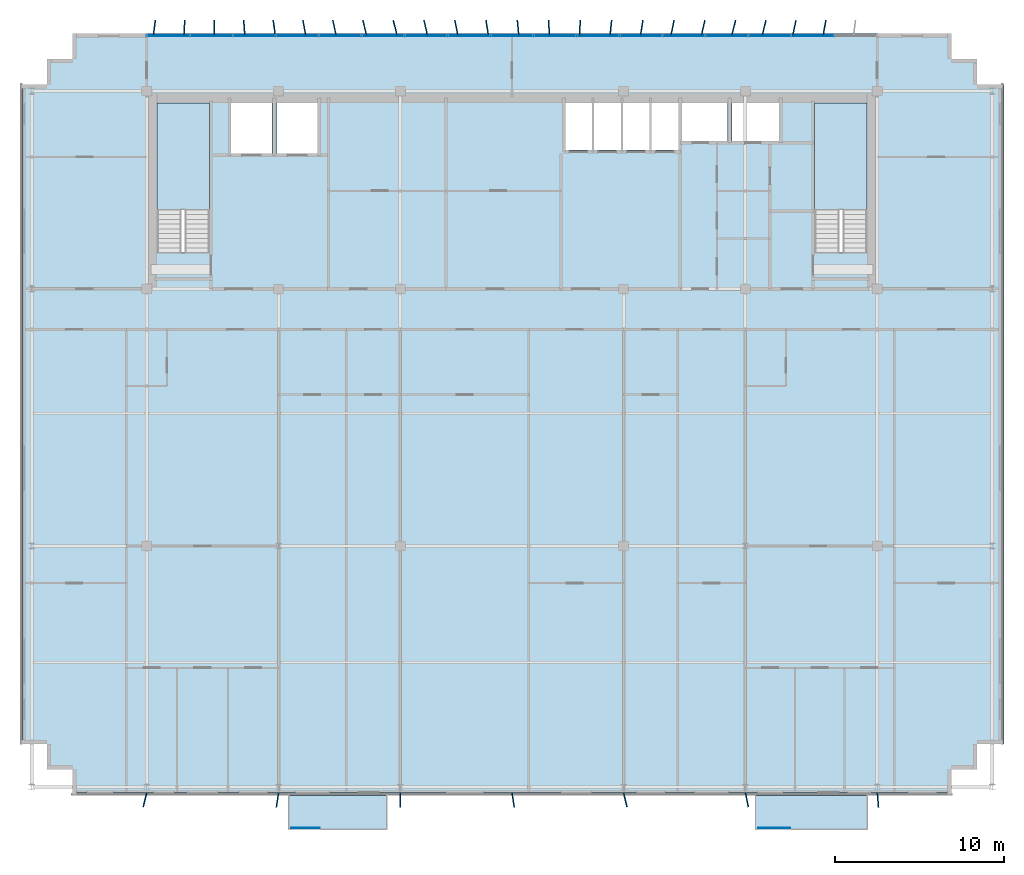
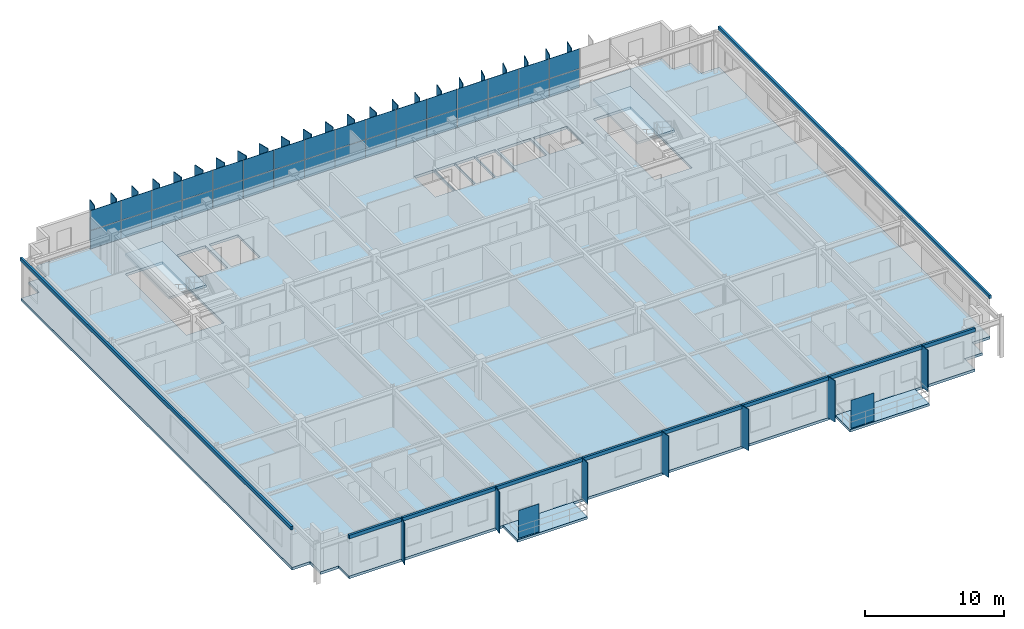
# One storey, part 15 of 22: 67 plates, 5 slabs, 3 elements without a shape of their own.
"""IFC4 building model written with IfcOpenShell, lengths in metres."""

from ifc_helpers import new_model, si_unit, direction, frame, origin, origin_2d, place, context, subcontext, project, spatial, polyline, rectangle, outline, extrude, source, transform, mapped, material, layer, layer_set, type_object, element, aggregate, save


model = new_model("IFC4")

# Units and contexts
model_context = context("Model", 3, precision=1e-05, world=origin(), true_north=direction((0.0, 1.0)))
body_context = subcontext(model_context, "Body", "Model", "MODEL_VIEW")
ifc_project = project(units=[si_unit("LENGTHUNIT", "METRE"), si_unit("AREAUNIT", "SQUARE_METRE"), si_unit("VOLUMEUNIT", "CUBIC_METRE"), si_unit("PLANEANGLEUNIT", "RADIAN"), si_unit("MASSUNIT", "GRAM", prefix="KILO")], contexts=[model_context])

# Site, building, storey
site_placement = place(None, origin())
site = spatial("IfcSite", under=ifc_project, at=site_placement, CompositionType="ELEMENT")
building_placement = place(site_placement, origin())
building = spatial("IfcBuilding", under=site, at=building_placement, Name="Trelvane Seafront Commons", CompositionType="ELEMENT")
storey_placement = place(building_placement, frame((0.0, 0.0, 284.699951171875)))
storey = spatial("IfcBuildingStorey", under=building, at=storey_placement, Name="L74", CompositionType="ELEMENT", Elevation=284.699951171875)

# Slabs
ifc_material_1 = material(Name="Concrete C40/50", Category="concrete")
ifc_layer_1 = layer(ifc_material_1, 0.219970703125, Name="ARCH-BALC-220")
ifc_layer_set_1 = layer_set([ifc_layer_1], Name="Concrete C40/50")
slab_type_1 = type_object("IfcSlabType", Name="ARCH-BALC-220", PredefinedType="FLOOR", material=ifc_layer_set_1)
slab_1_placement = place(storey_placement, frame((0.0, 0.0, -0.219970703125)))
element("IfcSlab", 1, at=slab_1_placement, inside=storey, type_object=slab_type_1, Name="L74 Cantilevered Tree Balcony Loggia 2", PredefinedType="FLOOR", context=body_context, shape_type="SweptSolid", body=[
    extrude(outline(polyline([(24.0, 1.39990234375), (29.800048828125, 1.39990234375), (29.800048828125, 3.5), (24.0, 3.5), (24.0, 1.39990234375)])), origin(), (0.0, 0.0, 1.0), 0.219970703125),
])
slab_2_placement = place(storey_placement, frame((0.0, 0.0, -0.219970703125)))
element("IfcSlab", 2, at=slab_2_placement, inside=storey, type_object=slab_type_1, Name="L74 Cantilevered Tree Balcony Loggia 3", PredefinedType="FLOOR", context=body_context, shape_type="SweptSolid", body=[
    extrude(outline(polyline([(51.60009765625, 1.39990234375), (58.199951171875, 1.39990234375), (58.199951171875, 3.5), (51.60009765625, 3.5), (51.60009765625, 1.39990234375)])), origin(), (0.0, 0.0, 1.0), 0.219970703125),
])

# Stair, slab
stair_type_1 = type_object("IfcStairType", Name="ARCH-STR-ST-1-R20-180", PredefinedType="HALF_TURN_STAIR", material=ifc_material_1)
stair_1_placement = place(storey_placement, origin())
stair_1 = element("IfcStair", 3, at=stair_1_placement, inside=storey, type_object=stair_type_1, Name="L74 West Protected Firefighting Exit Stair ST-1", PredefinedType="HALF_TURN_STAIR")
ifc_layer_2 = layer(ifc_material_1, 0.199951171875, Name="ARCH-LND-200")
ifc_layer_set_2 = layer_set([ifc_layer_2], Name="Concrete C40/50")
slab_type_2 = type_object("IfcSlabType", Name="ARCH-LND-200", PredefinedType="LANDING", material=ifc_layer_set_2)
slab_3_placement = place(storey_placement, frame((0.0, 0.0, 1.60009765625)))
slab_3 = element("IfcSlab", 4, at=slab_3_placement, type_object=slab_type_2, Name="ST-1 landing 1", PredefinedType="LANDING", context=body_context, shape_type="SweptSolid", body=[
    extrude(outline(polyline([(19.300048828125, 38.070068359375), (19.300048828125, 44.39990234375), (16.199951171875, 44.39990234375), (16.199951171875, 38.070068359375), (19.300048828125, 38.070068359375)])), origin(), (0.0, 0.0, 1.0), 0.199951171875),
])
aggregate(stair_1, [slab_3])

stair_type_2 = type_object("IfcStairType", Name="ARCH-STR-ST-2-R20-180", PredefinedType="HALF_TURN_STAIR", material=ifc_material_1)
stair_2_placement = place(storey_placement, origin())
stair_2 = element("IfcStair", 5, at=stair_2_placement, inside=storey, type_object=stair_type_2, Name="L74 East Protected Firefighting Exit Stair ST-2", PredefinedType="HALF_TURN_STAIR")
slab_4_placement = place(storey_placement, frame((0.0, 0.0, 1.60009765625)))
slab_4 = element("IfcSlab", 6, at=slab_4_placement, type_object=slab_type_2, Name="ST-2 landing 1", PredefinedType="LANDING", context=body_context, shape_type="SweptSolid", body=[
    extrude(outline(polyline([(58.199951171875, 38.070068359375), (58.199951171875, 44.39990234375), (55.10009765625, 44.39990234375), (55.10009765625, 38.070068359375), (58.199951171875, 38.070068359375)])), origin(), (0.0, 0.0, 1.0), 0.199951171875),
])
aggregate(stair_2, [slab_4])

# Slab
ifc_material_2 = material(Name="Concrete C50/60", Category="concrete")
ifc_layer_3 = layer(ifc_material_2, 0.22998046875, Name="STR-SLB-Z5-230")
ifc_layer_set_3 = layer_set([ifc_layer_3], Name="Concrete C50/60")
slab_type_3 = type_object("IfcSlabType", Name="STR-SLB-Z5-230", PredefinedType="FLOOR", material=ifc_layer_set_3)
slab_5_placement = place(storey_placement, frame((0.0, 0.0, -0.22998046875)))
element("IfcSlab", 7, at=slab_5_placement, inside=storey, type_object=slab_type_3, Name="L74 Structural Floor Slab", PredefinedType="FLOOR", context=body_context, shape_type="SweptSolid", body=[
    extrude(outline(polyline([(11.199951171875, 3.5), (63.199951171875, 3.5), (63.199951171875, 5.0), (64.699951171875, 5.0), (64.699951171875, 6.5), (66.199951171875, 6.5), (66.199951171875, 45.5), (64.699951171875, 45.5), (64.699951171875, 47.0), (63.199951171875, 47.0), (63.199951171875, 48.5), (11.199951171875, 48.5), (11.199951171875, 47.0), (9.699951171875, 47.0), (9.699951171875, 45.5), (8.199951171875, 45.5), (8.199951171875, 6.5), (9.699951171875, 6.5), (9.699951171875, 5.0), (11.199951171875, 5.0), (11.199951171875, 3.5)]), holes=[polyline([(19.300048828125, 35.550048828125), (16.199951171875, 35.550048828125), (16.199951171875, 44.39990234375), (19.300048828125, 44.39990234375), (19.300048828125, 35.550048828125)]), polyline([(58.199951171875, 35.550048828125), (55.10009765625, 35.550048828125), (55.10009765625, 44.39990234375), (58.199951171875, 44.39990234375), (58.199951171875, 35.550048828125)]), polyline([(23.0, 41.39990234375), (20.60009765625, 41.39990234375), (20.60009765625, 44.60009765625), (23.0, 44.60009765625), (23.0, 41.39990234375)]), polyline([(23.300048828125, 41.39990234375), (23.300048828125, 44.60009765625), (25.699951171875, 44.60009765625), (25.699951171875, 41.39990234375), (23.300048828125, 41.39990234375)]), polyline([(40.35009765625, 41.60009765625), (40.35009765625, 44.60009765625), (41.969970703125, 44.60009765625), (41.969970703125, 41.60009765625), (40.35009765625, 41.60009765625)]), polyline([(43.669921875, 41.60009765625), (42.050048828125, 41.60009765625), (42.050048828125, 44.60009765625), (43.669921875, 44.60009765625), (43.669921875, 41.60009765625)]), polyline([(45.3701171875, 41.60009765625), (43.75, 41.60009765625), (43.75, 44.60009765625), (45.3701171875, 44.60009765625), (45.3701171875, 41.60009765625)]), polyline([(47.070068359375, 41.60009765625), (45.449951171875, 41.60009765625), (45.449951171875, 44.60009765625), (47.070068359375, 44.60009765625), (47.070068359375, 41.60009765625)]), polyline([(47.25, 42.14990234375), (47.25, 44.550048828125), (49.949951171875, 44.550048828125), (49.949951171875, 42.14990234375), (47.25, 42.14990234375)]), polyline([(50.199951171875, 42.14990234375), (50.199951171875, 44.550048828125), (53.0, 44.550048828125), (53.0, 42.14990234375), (50.199951171875, 42.14990234375)])]), origin(), (0.0, 0.0, 1.0), 0.22998046875),
])

# Plates
ifc_material_3 = material(Name="Perforated anodised aluminium screen", Category="aluminium")
ifc_layer_4 = layer(ifc_material_3, 0.01611328125, Name="ARCH-PLATE-SCREEN")
ifc_layer_set_4 = layer_set([ifc_layer_4], Name="Perforated anodised aluminium screen")
plate_type_1 = type_object("IfcPlateType", Name="ARCH-PLATE-SCREEN", PredefinedType="USERDEFINED", material=ifc_layer_set_4)
shared_shape_1 = source(origin(), body_context, "Body", "SweptSolid", [
    extrude(rectangle(XDim=1.9140625, YDim=0.01611328125, at=origin_2d()), origin(), (0.0, 0.0, 1.0), 2.449951171875),
])
plate_1_placement = place(storey_placement, frame((52.70703125, 1.52001953125, 0.0), z_axis=(0.0, 0.0, 1.0), x_axis=(1.0, 0.0, 0.0)))
element("IfcPlate", 8, at=plate_1_placement, inside=storey, type_object=plate_type_1, Name="SCR-L74-00258", ObjectType="SCREEN", PredefinedType="USERDEFINED", context=body_context, shape_type="MappedRepresentation", body=[
    mapped(shared_shape_1, transform((0.0, 0.0, 0.0), x_axis=(1.0, 0.0, 0.0), y_axis=(0.0, 1.0, 0.0), z_axis=(0.0, 0.0, 1.0), scale=1.0)),
])
shared_shape_2 = source(origin(), body_context, "Body", "SweptSolid", [
    extrude(rectangle(XDim=1.681884765625, YDim=0.01611328125, at=origin_2d()), origin(), (0.0, 0.0, 1.0), 2.449951171875),
])
plate_2_placement = place(storey_placement, frame((24.990966796875, 1.52001953125, 0.0), z_axis=(0.0, 0.0, 1.0), x_axis=(1.0, 0.0, 0.0)))
element("IfcPlate", 9, at=plate_2_placement, inside=storey, type_object=plate_type_1, Name="SCR-L74-00257", ObjectType="SCREEN", PredefinedType="USERDEFINED", context=body_context, shape_type="MappedRepresentation", body=[
    mapped(shared_shape_2, transform((0.0, 0.0, 0.0), x_axis=(1.0, 0.0, 0.0), y_axis=(0.0, 1.0, 0.0), z_axis=(0.0, 0.0, 1.0), scale=1.0)),
])
ifc_material_4 = material(Name="Anodised pale-silver aluminium", Category="aluminium")
ifc_layer_5 = layer(ifc_material_4, 0.06005859375, Name="ARCH-PLATE-FIN900")
ifc_layer_set_5 = layer_set([ifc_layer_5], Name="Anodised pale-silver aluminium")
plate_type_2 = type_object("IfcPlateType", Name="ARCH-PLATE-FIN900", PredefinedType="USERDEFINED", material=ifc_layer_set_5)
shared_shape_3 = source(origin(), body_context, "Body", "SweptSolid", [
    extrude(rectangle(XDim=0.89990234375, YDim=0.06005859375, at=origin_2d()), origin(), (0.0, 0.0, 1.0), 3.639892578125),
])
for number, where, z_axis, x_axis, name in (
    (10, (16.055419921875, 48.8466796875, -0.02001953125), (0.0, 0.0, 1.0), (0.122777027905, 0.992434280655, 0.0), "FIN-L74-02066"),
    (11, (17.82763671875, 48.84912109375, -0.02001953125), (0.0, 0.0, 1.0), (0.061555475133, 0.998103663695, 0.0), "FIN-L74-02067"),
    (12, (19.597900390625, 48.85009765625, -0.02001953125), (0.0, 0.0, 1.0), (-0.004443593652, 0.999990127189, 0.0), "FIN-L74-02068"),
    (13, (21.368408203125, 48.848876953125, -0.02001953125), (0.0, 0.0, 1.0), (-0.070221333904, 0.997531435226, 0.0), "FIN-L74-02069"),
    (14, (23.141357421875, 48.84619140625, -0.02001953125), (0.0, 0.0, 1.0), (-0.130446593504, 0.991455337493, 0.0), "FIN-L74-02070"),
    (15, (24.918701171875, 48.842529296875, -0.02001953125), (0.0, 0.0, 1.0), (-0.180665059029, 0.983544679436, 0.0), "FIN-L74-02071"),
    (16, (26.7021484375, 48.839111328125, -0.02001953125), (0.0, 0.0, 1.0), (-0.217225068423, 0.976121544506, 0.0), "FIN-L74-02072"),
    (17, (28.492919921875, 48.837158203125, -0.02001953125), (0.0, 0.0, 1.0), (-0.237774047557, 0.971320494126, 0.0), "FIN-L74-02073"),
    (18, (30.29150390625, 48.836669921875, -0.02001953125), (0.0, 0.0, 1.0), (-0.240992061138, 0.970527086932, 0.0), "FIN-L74-02074"),
    (19, (32.097900390625, 48.83837890625, -0.02001953125), (0.0, 0.0, 1.0), (-0.226659806972, 0.973973989336, 0.0), "FIN-L74-02075"),
    (20, (33.911865234375, 48.84130859375, -0.02001953125), (0.0, 0.0, 1.0), (-0.195774991714, 0.980648842665, 0.0), "FIN-L74-02076"),
    (21, (35.732421875, 48.844970703125, -0.02001953125), (0.0, 0.0, 1.0), (-0.150111703619, 0.988669042924, 0.0), "FIN-L74-02077"),
    (22, (37.55810546875, 48.84814453125, -0.02001953125), (0.0, 0.0, 1.0), (-0.093110893377, 0.995655744489, 0.0), "FIN-L74-02078"),
    (23, (39.38720703125, 48.849853515625, -0.02001953125), (0.0, 0.0, 1.0), (-0.028778250914, 0.999585820365, 0.0), "FIN-L74-02079"),
    (24, (41.216796875, 48.849609375, -0.02001953125), (0.0, 0.0, 1.0), (0.037665765411, 0.999290393287, 0.0), "FIN-L74-02080"),
    (25, (43.045654296875, 48.84765625, -0.02001953125), (0.0, 0.0, 1.0), (0.101328907307, 0.994852980366, 0.0), "FIN-L74-02081"),
    (26, (44.87060546875, 48.844482421875, -0.02001953125), (0.0, 0.0, 1.0), (0.157006754075, 0.987597528943, 0.0), "FIN-L74-02082"),
    (27, (46.6904296875, 48.8408203125, -0.02001953125), (0.0, 0.0, 1.0), (0.200771878379, 0.979638021339, 0.0), "FIN-L74-02083"),
    (28, (48.50341796875, 48.837890625, -0.02001953125), (0.0, 0.0, 1.0), (0.229677745048, 0.973266732931, 0.0), "FIN-L74-02084"),
    (29, (50.308837890625, 48.836669921875, -0.02001953125), (0.0, 0.0, 1.0), (0.24167294527, 0.970357762645, 0.0), "FIN-L74-02085"),
    (30, (52.106201171875, 48.83740234375, -0.02001953125), (0.0, 0.0, 1.0), (0.235993611507, 0.971754606538, 0.0), "FIN-L74-02086"),
    (31, (53.89599609375, 48.839599609375, -0.02001953125), (0.0, 0.0, 1.0), (0.213223077214, 0.977003541111, 0.0), "FIN-L74-02087"),
    (32, (55.6787109375, 48.843017578125, -0.02001953125), (0.0, 0.0, 1.0), (0.174552200412, 0.984647921509, 0.0), "FIN-L74-02088"),
):
    element("IfcPlate", number, at=place(storey_placement, frame(where, z_axis=z_axis, x_axis=x_axis)), inside=storey, type_object=plate_type_2, Name=name, ObjectType="FIN", PredefinedType="USERDEFINED", context=body_context, shape_type="MappedRepresentation", body=[
        mapped(shared_shape_3, transform((0.0, 0.0, 0.0), x_axis=(1.0, 0.0, 0.0), y_axis=(0.0, 1.0, 0.0), z_axis=(0.0, 0.0, 1.0), scale=1.0)),
    ])
shared_shape_4 = source(origin(), body_context, "Body", "SweptSolid", [
    extrude(rectangle(XDim=0.85009765625, YDim=0.06005859375, at=origin_2d()), origin(), (0.0, 0.0, 1.0), 3.639892578125),
])
for number, where, z_axis, x_axis, name in (
    (33, (15.49853515625, 3.187255859375, -0.02001953125), (0.0, 0.0, 1.0), (-0.238463964056, -0.971151346519, 0.0), "FIN-S-L74-02090"),
    (34, (23.33349609375, 3.180419921875, -0.02001953125), (0.0, 0.0, 1.0), (-0.15659133263, -0.98766348244, 0.0), "FIN-S-L74-02091"),
    (35, (30.60009765625, 3.175048828125, -0.02001953125), (0.0, 0.0, 1.0), (0.000352556502, -0.999999937852, 0.0), "FIN-S-L74-02092"),
    (36, (37.2666015625, 3.180419921875, -0.02001953125), (0.0, 0.0, 1.0), (0.156934358973, -0.987609035486, 0.0), "FIN-S-L74-02093"),
    (37, (43.9013671875, 3.187255859375, -0.02001953125), (0.0, 0.0, 1.0), (0.238463964056, -0.971151346519, 0.0), "FIN-S-L74-02094"),
    (38, (51.0888671875, 3.184326171875, -0.02001953125), (0.0, 0.0, 1.0), (0.209174837378, -0.977878257969, 0.0), "FIN-S-L74-02095"),
    (39, (58.834716796875, 3.176513671875, -0.02001953125), (0.0, 0.0, 1.0), (0.081526249521, -0.996671194848, 0.0), "FIN-S-L74-02096"),
):
    element("IfcPlate", number, at=place(storey_placement, frame(where, z_axis=z_axis, x_axis=x_axis)), inside=storey, type_object=plate_type_2, Name=name, ObjectType="FIN", PredefinedType="USERDEFINED", context=body_context, shape_type="MappedRepresentation", body=[
        mapped(shared_shape_4, transform((0.0, 0.0, 0.0), x_axis=(1.0, 0.0, 0.0), y_axis=(0.0, 1.0, 0.0), z_axis=(0.0, 0.0, 1.0), scale=1.0)),
    ])

# Curtain wall, plates
curtain_wall_type = type_object("IfcCurtainWallType", Name="ARCH-CW5-UPTOWER", PredefinedType="NOTDEFINED", material=ifc_material_4)
curtain_wall_placement = place(storey_placement, origin())
curtain_wall = element("IfcCurtainWall", 40, at=curtain_wall_placement, inside=storey, type_object=curtain_wall_type, Name="CW-L74-0118", PredefinedType="NOTDEFINED")
ifc_material_5 = material(Name="Low-E coastal double glazing", Category="glass")
ifc_layer_6 = layer(ifc_material_5, 0.033935546875, Name="ARCH-CW-GLAZ-34")
ifc_layer_set_6 = layer_set([ifc_layer_6], Name="Low-E coastal double glazing")
plate_type_3 = type_object("IfcPlateType", Name="ARCH-CW-GLAZ-34", PredefinedType="CURTAIN_PANEL", material=ifc_layer_set_6)
shared_shape_5 = source(origin(), body_context, "Body", "SweptSolid", [
    extrude(rectangle(XDim=2.51708984375, YDim=0.033935546875, at=origin_2d()), origin(), (0.0, 0.0, 1.0), 1.60009765625),
])
plate_3_placement = place(storey_placement, frame((16.87060546875, 48.3701171875, 0.0), z_axis=(0.0, 0.0, 1.0), x_axis=(1.0, 0.0, 0.0)))
plate_3 = element("IfcPlate", 41, at=plate_3_placement, type_object=plate_type_3, Name="CW-L74-0118-P00-1", PredefinedType="CURTAIN_PANEL", context=body_context, shape_type="MappedRepresentation", body=[
    mapped(shared_shape_5, transform((0.0, 0.0, 0.0), x_axis=(1.0, 0.0, 0.0), y_axis=(0.0, 1.0, 0.0), z_axis=(0.0, 0.0, 1.0), scale=1.0)),
])
plate_4_placement = place(storey_placement, frame((19.411865234375, 48.3701171875, 0.0), z_axis=(0.0, 0.0, 1.0), x_axis=(1.0, 0.0, 0.0)))
plate_4 = element("IfcPlate", 42, at=plate_4_placement, type_object=plate_type_3, Name="CW-L74-0118-P01-1", PredefinedType="CURTAIN_PANEL", context=body_context, shape_type="MappedRepresentation", body=[
    mapped(shared_shape_5, transform((0.0, 0.0, 0.0), x_axis=(1.0, 0.0, 0.0), y_axis=(0.0, 1.0, 0.0), z_axis=(0.0, 0.0, 1.0), scale=1.0)),
])
plate_5_placement = place(storey_placement, frame((21.952880859375, 48.3701171875, 0.0), z_axis=(0.0, 0.0, 1.0), x_axis=(1.0, 0.0, 0.0)))
plate_5 = element("IfcPlate", 43, at=plate_5_placement, type_object=plate_type_3, Name="CW-L74-0118-P02-1", PredefinedType="CURTAIN_PANEL", context=body_context, shape_type="MappedRepresentation", body=[
    mapped(shared_shape_5, transform((0.0, 0.0, 0.0), x_axis=(1.0, 0.0, 0.0), y_axis=(0.0, 1.0, 0.0), z_axis=(0.0, 0.0, 1.0), scale=1.0)),
])
plate_6_placement = place(storey_placement, frame((24.494140625, 48.3701171875, 0.0), z_axis=(0.0, 0.0, 1.0), x_axis=(1.0, 0.0, 0.0)))
plate_6 = element("IfcPlate", 44, at=plate_6_placement, type_object=plate_type_3, Name="CW-L74-0118-P03-1", PredefinedType="CURTAIN_PANEL", context=body_context, shape_type="MappedRepresentation", body=[
    mapped(shared_shape_5, transform((0.0, 0.0, 0.0), x_axis=(1.0, 0.0, 0.0), y_axis=(0.0, 1.0, 0.0), z_axis=(0.0, 0.0, 1.0), scale=1.0)),
])
plate_7_placement = place(storey_placement, frame((27.035400390625, 48.3701171875, 0.0), z_axis=(0.0, 0.0, 1.0), x_axis=(1.0, 0.0, 0.0)))
plate_7 = element("IfcPlate", 45, at=plate_7_placement, type_object=plate_type_3, Name="CW-L74-0118-P04-1", PredefinedType="CURTAIN_PANEL", context=body_context, shape_type="MappedRepresentation", body=[
    mapped(shared_shape_5, transform((0.0, 0.0, 0.0), x_axis=(1.0, 0.0, 0.0), y_axis=(0.0, 1.0, 0.0), z_axis=(0.0, 0.0, 1.0), scale=1.0)),
])
plate_8_placement = place(storey_placement, frame((29.576416015625, 48.3701171875, 0.0), z_axis=(0.0, 0.0, 1.0), x_axis=(1.0, 0.0, 0.0)))
plate_8 = element("IfcPlate", 46, at=plate_8_placement, type_object=plate_type_3, Name="CW-L74-0118-P05-1", PredefinedType="CURTAIN_PANEL", context=body_context, shape_type="MappedRepresentation", body=[
    mapped(shared_shape_5, transform((0.0, 0.0, 0.0), x_axis=(1.0, 0.0, 0.0), y_axis=(0.0, 1.0, 0.0), z_axis=(0.0, 0.0, 1.0), scale=1.0)),
])
plate_9_placement = place(storey_placement, frame((32.11767578125, 48.3701171875, 0.0), z_axis=(0.0, 0.0, 1.0), x_axis=(1.0, 0.0, 0.0)))
plate_9 = element("IfcPlate", 47, at=plate_9_placement, type_object=plate_type_3, Name="CW-L74-0118-P06-1", PredefinedType="CURTAIN_PANEL", context=body_context, shape_type="MappedRepresentation", body=[
    mapped(shared_shape_5, transform((0.0, 0.0, 0.0), x_axis=(1.0, 0.0, 0.0), y_axis=(0.0, 1.0, 0.0), z_axis=(0.0, 0.0, 1.0), scale=1.0)),
])
plate_10_placement = place(storey_placement, frame((34.65869140625, 48.3701171875, 0.0), z_axis=(0.0, 0.0, 1.0), x_axis=(1.0, 0.0, 0.0)))
plate_10 = element("IfcPlate", 48, at=plate_10_placement, type_object=plate_type_3, Name="CW-L74-0118-P07-1", PredefinedType="CURTAIN_PANEL", context=body_context, shape_type="MappedRepresentation", body=[
    mapped(shared_shape_5, transform((0.0, 0.0, 0.0), x_axis=(1.0, 0.0, 0.0), y_axis=(0.0, 1.0, 0.0), z_axis=(0.0, 0.0, 1.0), scale=1.0)),
])
plate_11_placement = place(storey_placement, frame((37.199951171875, 48.3701171875, 0.0), z_axis=(0.0, 0.0, 1.0), x_axis=(1.0, 0.0, 0.0)))
plate_11 = element("IfcPlate", 49, at=plate_11_placement, type_object=plate_type_3, Name="CW-L74-0118-P08-1", PredefinedType="CURTAIN_PANEL", context=body_context, shape_type="MappedRepresentation", body=[
    mapped(shared_shape_5, transform((0.0, 0.0, 0.0), x_axis=(1.0, 0.0, 0.0), y_axis=(0.0, 1.0, 0.0), z_axis=(0.0, 0.0, 1.0), scale=1.0)),
])
plate_12_placement = place(storey_placement, frame((39.7412109375, 48.3701171875, 0.0), z_axis=(0.0, 0.0, 1.0), x_axis=(1.0, 0.0, 0.0)))
plate_12 = element("IfcPlate", 50, at=plate_12_placement, type_object=plate_type_3, Name="CW-L74-0118-P09-1", PredefinedType="CURTAIN_PANEL", context=body_context, shape_type="MappedRepresentation", body=[
    mapped(shared_shape_5, transform((0.0, 0.0, 0.0), x_axis=(1.0, 0.0, 0.0), y_axis=(0.0, 1.0, 0.0), z_axis=(0.0, 0.0, 1.0), scale=1.0)),
])
plate_13_placement = place(storey_placement, frame((42.282470703125, 48.3701171875, 0.0), z_axis=(0.0, 0.0, 1.0), x_axis=(1.0, 0.0, 0.0)))
plate_13 = element("IfcPlate", 51, at=plate_13_placement, type_object=plate_type_3, Name="CW-L74-0118-P10-1", PredefinedType="CURTAIN_PANEL", context=body_context, shape_type="MappedRepresentation", body=[
    mapped(shared_shape_5, transform((0.0, 0.0, 0.0), x_axis=(1.0, 0.0, 0.0), y_axis=(0.0, 1.0, 0.0), z_axis=(0.0, 0.0, 1.0), scale=1.0)),
])
plate_14_placement = place(storey_placement, frame((44.823486328125, 48.3701171875, 0.0), z_axis=(0.0, 0.0, 1.0), x_axis=(1.0, 0.0, 0.0)))
plate_14 = element("IfcPlate", 52, at=plate_14_placement, type_object=plate_type_3, Name="CW-L74-0118-P11-1", PredefinedType="CURTAIN_PANEL", context=body_context, shape_type="MappedRepresentation", body=[
    mapped(shared_shape_5, transform((0.0, 0.0, 0.0), x_axis=(1.0, 0.0, 0.0), y_axis=(0.0, 1.0, 0.0), z_axis=(0.0, 0.0, 1.0), scale=1.0)),
])
plate_15_placement = place(storey_placement, frame((47.36474609375, 48.3701171875, 0.0), z_axis=(0.0, 0.0, 1.0), x_axis=(1.0, 0.0, 0.0)))
plate_15 = element("IfcPlate", 53, at=plate_15_placement, type_object=plate_type_3, Name="CW-L74-0118-P12-1", PredefinedType="CURTAIN_PANEL", context=body_context, shape_type="MappedRepresentation", body=[
    mapped(shared_shape_5, transform((0.0, 0.0, 0.0), x_axis=(1.0, 0.0, 0.0), y_axis=(0.0, 1.0, 0.0), z_axis=(0.0, 0.0, 1.0), scale=1.0)),
])
plate_16_placement = place(storey_placement, frame((49.906005859375, 48.3701171875, 0.0), z_axis=(0.0, 0.0, 1.0), x_axis=(1.0, 0.0, 0.0)))
plate_16 = element("IfcPlate", 54, at=plate_16_placement, type_object=plate_type_3, Name="CW-L74-0118-P13-1", PredefinedType="CURTAIN_PANEL", context=body_context, shape_type="MappedRepresentation", body=[
    mapped(shared_shape_5, transform((0.0, 0.0, 0.0), x_axis=(1.0, 0.0, 0.0), y_axis=(0.0, 1.0, 0.0), z_axis=(0.0, 0.0, 1.0), scale=1.0)),
])
plate_17_placement = place(storey_placement, frame((52.447021484375, 48.3701171875, 0.0), z_axis=(0.0, 0.0, 1.0), x_axis=(1.0, 0.0, 0.0)))
plate_17 = element("IfcPlate", 55, at=plate_17_placement, type_object=plate_type_3, Name="CW-L74-0118-P14-1", PredefinedType="CURTAIN_PANEL", context=body_context, shape_type="MappedRepresentation", body=[
    mapped(shared_shape_5, transform((0.0, 0.0, 0.0), x_axis=(1.0, 0.0, 0.0), y_axis=(0.0, 1.0, 0.0), z_axis=(0.0, 0.0, 1.0), scale=1.0)),
])
plate_18_placement = place(storey_placement, frame((54.98828125, 48.3701171875, 0.0), z_axis=(0.0, 0.0, 1.0), x_axis=(1.0, 0.0, 0.0)))
plate_18 = element("IfcPlate", 56, at=plate_18_placement, type_object=plate_type_3, Name="CW-L74-0118-P15-1", PredefinedType="CURTAIN_PANEL", context=body_context, shape_type="MappedRepresentation", body=[
    mapped(shared_shape_5, transform((0.0, 0.0, 0.0), x_axis=(1.0, 0.0, 0.0), y_axis=(0.0, 1.0, 0.0), z_axis=(0.0, 0.0, 1.0), scale=1.0)),
])
shared_shape_6 = source(origin(), body_context, "Body", "SweptSolid", [
    extrude(rectangle(XDim=2.51708984375, YDim=0.033935546875, at=origin_2d()), origin(), (0.0, 0.0, 1.0), 1.73388671875),
])
plate_19_placement = place(storey_placement, frame((16.87060546875, 48.3701171875, 1.635986328125), z_axis=(0.0, 0.0, 1.0), x_axis=(1.0, 0.0, 0.0)))
plate_19 = element("IfcPlate", 57, at=plate_19_placement, type_object=plate_type_3, Name="CW-L74-0118-P00-2", PredefinedType="CURTAIN_PANEL", context=body_context, shape_type="MappedRepresentation", body=[
    mapped(shared_shape_6, transform((0.0, 0.0, 0.0), x_axis=(1.0, 0.0, 0.0), y_axis=(0.0, 1.0, 0.0), z_axis=(0.0, 0.0, 1.0), scale=1.0)),
])
plate_20_placement = place(storey_placement, frame((19.411865234375, 48.3701171875, 1.635986328125), z_axis=(0.0, 0.0, 1.0), x_axis=(1.0, 0.0, 0.0)))
plate_20 = element("IfcPlate", 58, at=plate_20_placement, type_object=plate_type_3, Name="CW-L74-0118-P01-2", PredefinedType="CURTAIN_PANEL", context=body_context, shape_type="MappedRepresentation", body=[
    mapped(shared_shape_6, transform((0.0, 0.0, 0.0), x_axis=(1.0, 0.0, 0.0), y_axis=(0.0, 1.0, 0.0), z_axis=(0.0, 0.0, 1.0), scale=1.0)),
])
plate_21_placement = place(storey_placement, frame((21.952880859375, 48.3701171875, 1.635986328125), z_axis=(0.0, 0.0, 1.0), x_axis=(1.0, 0.0, 0.0)))
plate_21 = element("IfcPlate", 59, at=plate_21_placement, type_object=plate_type_3, Name="CW-L74-0118-P02-2", PredefinedType="CURTAIN_PANEL", context=body_context, shape_type="MappedRepresentation", body=[
    mapped(shared_shape_6, transform((0.0, 0.0, 0.0), x_axis=(1.0, 0.0, 0.0), y_axis=(0.0, 1.0, 0.0), z_axis=(0.0, 0.0, 1.0), scale=1.0)),
])
plate_22_placement = place(storey_placement, frame((24.494140625, 48.3701171875, 1.635986328125), z_axis=(0.0, 0.0, 1.0), x_axis=(1.0, 0.0, 0.0)))
plate_22 = element("IfcPlate", 60, at=plate_22_placement, type_object=plate_type_3, Name="CW-L74-0118-P03-2", PredefinedType="CURTAIN_PANEL", context=body_context, shape_type="MappedRepresentation", body=[
    mapped(shared_shape_6, transform((0.0, 0.0, 0.0), x_axis=(1.0, 0.0, 0.0), y_axis=(0.0, 1.0, 0.0), z_axis=(0.0, 0.0, 1.0), scale=1.0)),
])
plate_23_placement = place(storey_placement, frame((27.035400390625, 48.3701171875, 1.635986328125), z_axis=(0.0, 0.0, 1.0), x_axis=(1.0, 0.0, 0.0)))
plate_23 = element("IfcPlate", 61, at=plate_23_placement, type_object=plate_type_3, Name="CW-L74-0118-P04-2", PredefinedType="CURTAIN_PANEL", context=body_context, shape_type="MappedRepresentation", body=[
    mapped(shared_shape_6, transform((0.0, 0.0, 0.0), x_axis=(1.0, 0.0, 0.0), y_axis=(0.0, 1.0, 0.0), z_axis=(0.0, 0.0, 1.0), scale=1.0)),
])
plate_24_placement = place(storey_placement, frame((29.576416015625, 48.3701171875, 1.635986328125), z_axis=(0.0, 0.0, 1.0), x_axis=(1.0, 0.0, 0.0)))
plate_24 = element("IfcPlate", 62, at=plate_24_placement, type_object=plate_type_3, Name="CW-L74-0118-P05-2", PredefinedType="CURTAIN_PANEL", context=body_context, shape_type="MappedRepresentation", body=[
    mapped(shared_shape_6, transform((0.0, 0.0, 0.0), x_axis=(1.0, 0.0, 0.0), y_axis=(0.0, 1.0, 0.0), z_axis=(0.0, 0.0, 1.0), scale=1.0)),
])
plate_25_placement = place(storey_placement, frame((32.11767578125, 48.3701171875, 1.635986328125), z_axis=(0.0, 0.0, 1.0), x_axis=(1.0, 0.0, 0.0)))
plate_25 = element("IfcPlate", 63, at=plate_25_placement, type_object=plate_type_3, Name="CW-L74-0118-P06-2", PredefinedType="CURTAIN_PANEL", context=body_context, shape_type="MappedRepresentation", body=[
    mapped(shared_shape_6, transform((0.0, 0.0, 0.0), x_axis=(1.0, 0.0, 0.0), y_axis=(0.0, 1.0, 0.0), z_axis=(0.0, 0.0, 1.0), scale=1.0)),
])
plate_26_placement = place(storey_placement, frame((34.65869140625, 48.3701171875, 1.635986328125), z_axis=(0.0, 0.0, 1.0), x_axis=(1.0, 0.0, 0.0)))
plate_26 = element("IfcPlate", 64, at=plate_26_placement, type_object=plate_type_3, Name="CW-L74-0118-P07-2", PredefinedType="CURTAIN_PANEL", context=body_context, shape_type="MappedRepresentation", body=[
    mapped(shared_shape_6, transform((0.0, 0.0, 0.0), x_axis=(1.0, 0.0, 0.0), y_axis=(0.0, 1.0, 0.0), z_axis=(0.0, 0.0, 1.0), scale=1.0)),
])
plate_27_placement = place(storey_placement, frame((37.199951171875, 48.3701171875, 1.635986328125), z_axis=(0.0, 0.0, 1.0), x_axis=(1.0, 0.0, 0.0)))
plate_27 = element("IfcPlate", 65, at=plate_27_placement, type_object=plate_type_3, Name="CW-L74-0118-P08-2", PredefinedType="CURTAIN_PANEL", context=body_context, shape_type="MappedRepresentation", body=[
    mapped(shared_shape_6, transform((0.0, 0.0, 0.0), x_axis=(1.0, 0.0, 0.0), y_axis=(0.0, 1.0, 0.0), z_axis=(0.0, 0.0, 1.0), scale=1.0)),
])
plate_28_placement = place(storey_placement, frame((39.7412109375, 48.3701171875, 1.635986328125), z_axis=(0.0, 0.0, 1.0), x_axis=(1.0, 0.0, 0.0)))
plate_28 = element("IfcPlate", 66, at=plate_28_placement, type_object=plate_type_3, Name="CW-L74-0118-P09-2", PredefinedType="CURTAIN_PANEL", context=body_context, shape_type="MappedRepresentation", body=[
    mapped(shared_shape_6, transform((0.0, 0.0, 0.0), x_axis=(1.0, 0.0, 0.0), y_axis=(0.0, 1.0, 0.0), z_axis=(0.0, 0.0, 1.0), scale=1.0)),
])
plate_29_placement = place(storey_placement, frame((42.282470703125, 48.3701171875, 1.635986328125), z_axis=(0.0, 0.0, 1.0), x_axis=(1.0, 0.0, 0.0)))
plate_29 = element("IfcPlate", 67, at=plate_29_placement, type_object=plate_type_3, Name="CW-L74-0118-P10-2", PredefinedType="CURTAIN_PANEL", context=body_context, shape_type="MappedRepresentation", body=[
    mapped(shared_shape_6, transform((0.0, 0.0, 0.0), x_axis=(1.0, 0.0, 0.0), y_axis=(0.0, 1.0, 0.0), z_axis=(0.0, 0.0, 1.0), scale=1.0)),
])
plate_30_placement = place(storey_placement, frame((44.823486328125, 48.3701171875, 1.635986328125), z_axis=(0.0, 0.0, 1.0), x_axis=(1.0, 0.0, 0.0)))
plate_30 = element("IfcPlate", 68, at=plate_30_placement, type_object=plate_type_3, Name="CW-L74-0118-P11-2", PredefinedType="CURTAIN_PANEL", context=body_context, shape_type="MappedRepresentation", body=[
    mapped(shared_shape_6, transform((0.0, 0.0, 0.0), x_axis=(1.0, 0.0, 0.0), y_axis=(0.0, 1.0, 0.0), z_axis=(0.0, 0.0, 1.0), scale=1.0)),
])
plate_31_placement = place(storey_placement, frame((47.36474609375, 48.3701171875, 1.635986328125), z_axis=(0.0, 0.0, 1.0), x_axis=(1.0, 0.0, 0.0)))
plate_31 = element("IfcPlate", 69, at=plate_31_placement, type_object=plate_type_3, Name="CW-L74-0118-P12-2", PredefinedType="CURTAIN_PANEL", context=body_context, shape_type="MappedRepresentation", body=[
    mapped(shared_shape_6, transform((0.0, 0.0, 0.0), x_axis=(1.0, 0.0, 0.0), y_axis=(0.0, 1.0, 0.0), z_axis=(0.0, 0.0, 1.0), scale=1.0)),
])
plate_32_placement = place(storey_placement, frame((49.906005859375, 48.3701171875, 1.635986328125), z_axis=(0.0, 0.0, 1.0), x_axis=(1.0, 0.0, 0.0)))
plate_32 = element("IfcPlate", 70, at=plate_32_placement, type_object=plate_type_3, Name="CW-L74-0118-P13-2", PredefinedType="CURTAIN_PANEL", context=body_context, shape_type="MappedRepresentation", body=[
    mapped(shared_shape_6, transform((0.0, 0.0, 0.0), x_axis=(1.0, 0.0, 0.0), y_axis=(0.0, 1.0, 0.0), z_axis=(0.0, 0.0, 1.0), scale=1.0)),
])
plate_33_placement = place(storey_placement, frame((52.447021484375, 48.3701171875, 1.635986328125), z_axis=(0.0, 0.0, 1.0), x_axis=(1.0, 0.0, 0.0)))
plate_33 = element("IfcPlate", 71, at=plate_33_placement, type_object=plate_type_3, Name="CW-L74-0118-P14-2", PredefinedType="CURTAIN_PANEL", context=body_context, shape_type="MappedRepresentation", body=[
    mapped(shared_shape_6, transform((0.0, 0.0, 0.0), x_axis=(1.0, 0.0, 0.0), y_axis=(0.0, 1.0, 0.0), z_axis=(0.0, 0.0, 1.0), scale=1.0)),
])
plate_34_placement = place(storey_placement, frame((54.98828125, 48.3701171875, 1.635986328125), z_axis=(0.0, 0.0, 1.0), x_axis=(1.0, 0.0, 0.0)))
plate_34 = element("IfcPlate", 72, at=plate_34_placement, type_object=plate_type_3, Name="CW-L74-0118-P15-2", PredefinedType="CURTAIN_PANEL", context=body_context, shape_type="MappedRepresentation", body=[
    mapped(shared_shape_6, transform((0.0, 0.0, 0.0), x_axis=(1.0, 0.0, 0.0), y_axis=(0.0, 1.0, 0.0), z_axis=(0.0, 0.0, 1.0), scale=1.0)),
])
aggregate(curtain_wall, [plate_3, plate_19, plate_4, plate_20, plate_5, plate_21, plate_6, plate_22, plate_7, plate_23, plate_8, plate_24, plate_9, plate_25, plate_10, plate_26, plate_11, plate_27, plate_12, plate_28, plate_13, plate_29, plate_14, plate_30, plate_15, plate_31, plate_16, plate_32, plate_17, plate_33, plate_18, plate_34])

# Plates
ifc_layer_7 = layer(ifc_material_4, 0.179931640625, Name="ARCH-PLATE-AERO")
ifc_layer_set_7 = layer_set([ifc_layer_7], Name="Anodised pale-silver aluminium")
plate_type_4 = type_object("IfcPlateType", Name="ARCH-PLATE-AERO", PredefinedType="SHEET", material=ifc_layer_set_7)
shared_shape_7 = source(origin(), body_context, "Body", "SweptSolid", [
    extrude(rectangle(XDim=39.0, YDim=0.179931640625, at=origin_2d()), origin(), (0.0, 0.0, 1.0), 0.31005859375),
])
for number, where, z_axis, x_axis, name in (
    (73, (8.199951171875, 26.0, 3.31005859375), (0.0, 0.0, 1.0), (0.0, 1.0, 0.0), "AER-L74-00255"),
    (74, (66.199951171875, 26.0, 3.31005859375), (0.0, 0.0, 1.0), (0.0, -1.0, 0.0), "AER-L74-00256"),
):
    element("IfcPlate", number, at=place(storey_placement, frame(where, z_axis=z_axis, x_axis=x_axis)), inside=storey, type_object=plate_type_4, Name=name, PredefinedType="SHEET", context=body_context, shape_type="MappedRepresentation", body=[
        mapped(shared_shape_7, transform((0.0, 0.0, 0.0), x_axis=(1.0, 0.0, 0.0), y_axis=(0.0, 1.0, 0.0), z_axis=(0.0, 0.0, 1.0), scale=1.0)),
    ])
shared_shape_8 = source(origin(), body_context, "Body", "SweptSolid", [
    extrude(rectangle(XDim=52.0, YDim=0.179931640625, at=origin_2d()), origin(), (0.0, 0.0, 1.0), 0.31005859375),
])
plate_35_placement = place(storey_placement, frame((37.199951171875, 3.5400390625, 3.31005859375), z_axis=(0.0, 0.0, 1.0), x_axis=(-1.0, 0.0, 0.0)))
element("IfcPlate", 75, at=plate_35_placement, inside=storey, type_object=plate_type_4, Name="AER-S-L74-00259", PredefinedType="SHEET", context=body_context, shape_type="MappedRepresentation", body=[
    mapped(shared_shape_8, transform((0.0, 0.0, 0.0), x_axis=(1.0, 0.0, 0.0), y_axis=(0.0, 1.0, 0.0), z_axis=(0.0, 0.0, 1.0), scale=1.0)),
])

save(model, "model.ifc")
